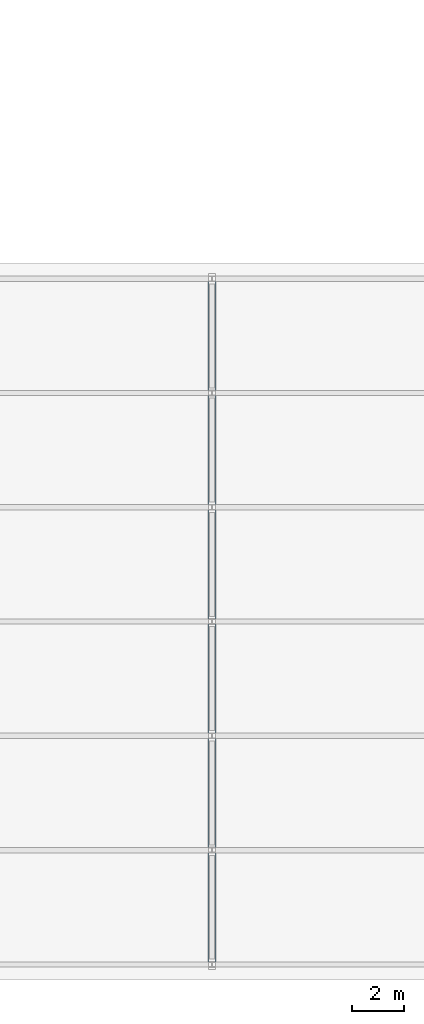
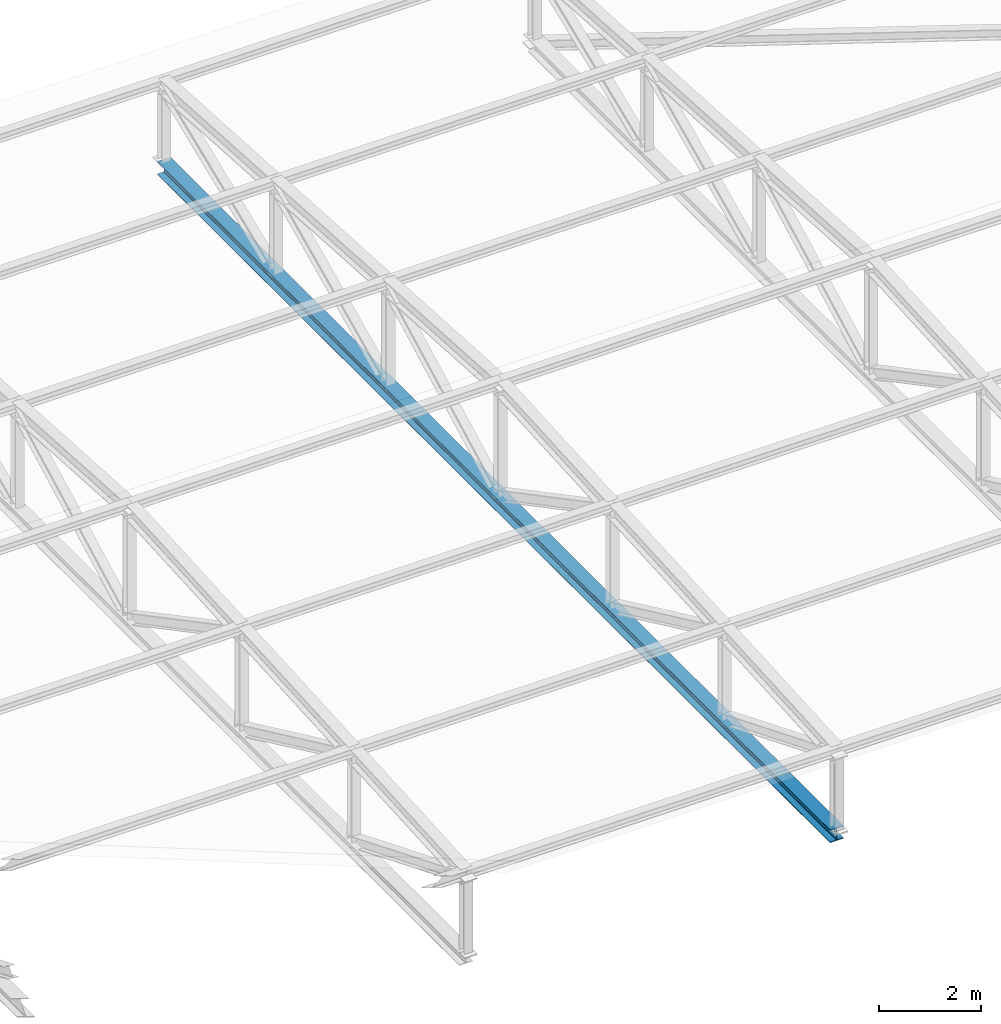
# One storey, part 15 of 49: 1 member.
"""IFC4 building model written with IfcOpenShell, lengths in metres."""

from ifc_helpers import new_model, si_unit, direction, frame, origin, origin_2d, place, context, subcontext, project, spatial, i_section, extrude, material, material_profile, profile_set, type_object, element, save


model = new_model("IFC4")

# Units and contexts
model_context = context("Model", 3, precision=1e-05, world=origin(), true_north=direction((0.0, 1.0)))
body_context = subcontext(model_context, "Body", "Model", "MODEL_VIEW")
ifc_project = project(units=[si_unit("LENGTHUNIT", "METRE"), si_unit("AREAUNIT", "SQUARE_METRE"), si_unit("VOLUMEUNIT", "CUBIC_METRE"), si_unit("PLANEANGLEUNIT", "RADIAN"), si_unit("MASSUNIT", "GRAM", prefix="KILO")], contexts=[model_context])

# Site, building, storey
site_placement = place(None, origin())
site = spatial("IfcSite", under=ifc_project, at=site_placement, CompositionType="ELEMENT")
building_placement = place(site_placement, origin())
building = spatial("IfcBuilding", under=site, at=building_placement, Name="Kemercrest Conservatory and Botanical Centre", CompositionType="ELEMENT")
storey_placement = place(building_placement, frame((0.0, 0.0, 13.199951171875)))
storey = spatial("IfcBuildingStorey", under=building, at=storey_placement, Name="L03", CompositionType="ELEMENT", Elevation=13.199951171875)

# Member
ifc_material = material(Name="Steel CSA G40.21 350W", Category="steel")
ifc_material_profile = material_profile(ifc_material, i_section(OverallWidth=0.304931640625, OverallDepth=0.30810546875, WebThickness=0.010009765625, FlangeThickness=0.015380859375, FilletRadius=0.014892578125, at=origin_2d()), Name="W310X97")
ifc_profile_set = profile_set([ifc_material_profile], Name="Steel CSA G40.21 350W")
member_type = type_object("IfcMemberType", Name="TR-BC310", PredefinedType="CHORD", material=ifc_profile_set)
member_placement = place(storey_placement, frame((83.60009765625, 16.800048828125, -0.14990234375), z_axis=(0.0, 1.0, 0.0), x_axis=(-1.0, 0.0, 0.0)))
element("IfcMember", 1, at=member_placement, inside=storey, type_object=member_type, Name="Auditorium Roof Truss Bottom Chord 10", PredefinedType="CHORD", context=body_context, shape_type="SweptSolid", body=[
    extrude(i_section(OverallWidth=0.304931640625, OverallDepth=0.30810546875, WebThickness=0.010009765625, FlangeThickness=0.015380859375, FilletRadius=0.014892578125, at=origin_2d()), origin(), (0.0, 0.0, 1.0), 26.39990234375),
])

save(model, "model.ifc")
